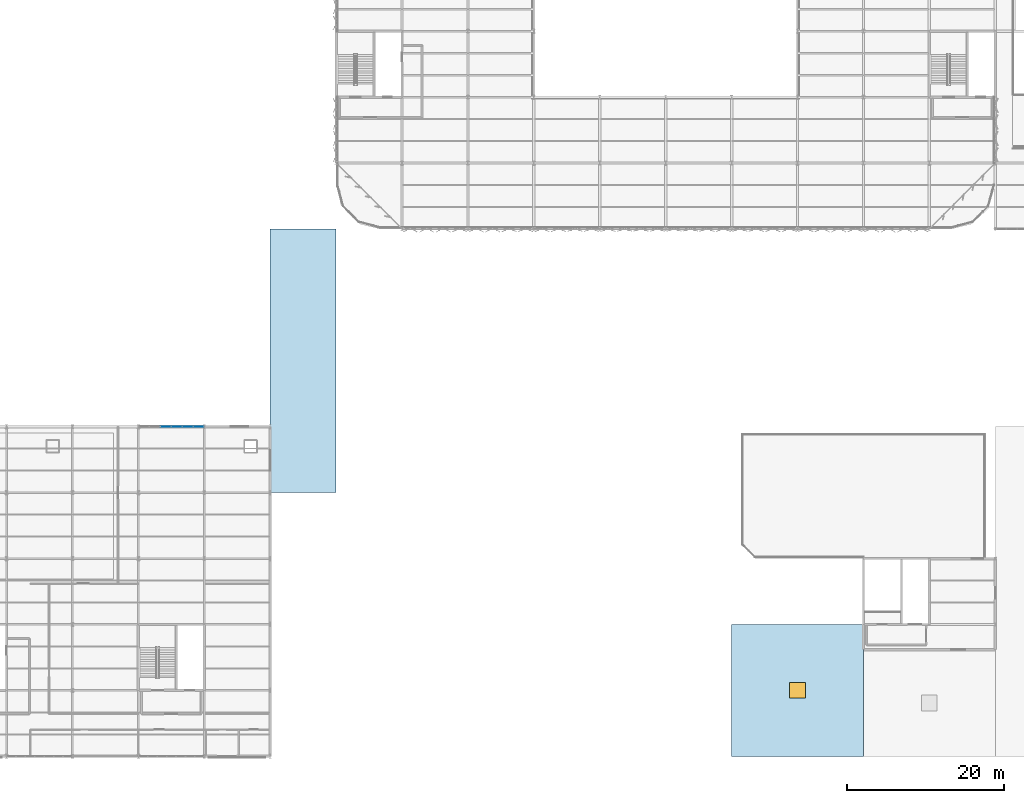
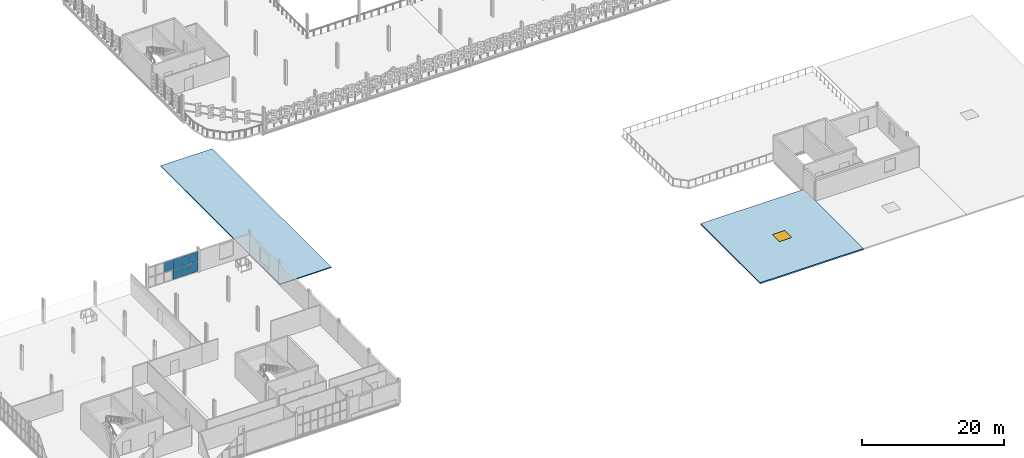
# One storey, part 37 of 69: 7 plates, 2 slabs, 1 window, 1 opening, 1 element without a shape of its own.
"""IFC4 building model written with IfcOpenShell, lengths in metres."""

import ifcopenshell
import ifcopenshell.guid

model = None  # the IFC model being written
_history = None  # IfcOwnerHistory: only IFC2X3 demands one
_inside = {}  # id of a spatial element -> (the spatial element, [elements in it])
_under = {}  # id of a project, library or spatial element -> (it, [spatial elements below it])
_declared = {}  # id of a project -> (the project, [libraries it declares])
_typed = {}  # id of a type object -> (the type object, [elements of that type])
_made_of = {}  # id of a material, layer set ... -> (it, [elements and type objects made of it])


def new_model(schema):
    """Start an empty IFC model of exactly this schema.

    Asked for "IFC4X3", IfcOpenShell would pick the latest addendum, in which some entities
    have other attributes; the version numbers below select the first issue.
    IFC2X3 requires an IfcOwnerHistory on every rooted entity: one is made here for all.
    """
    global model, _history
    if schema == "IFC4X3":
        model = ifcopenshell.file(schema_version=(4, 3, 0, 0))
    else:
        model = ifcopenshell.file(schema=schema)
    _inside.clear()
    _under.clear()
    _declared.clear()
    _typed.clear()
    _made_of.clear()
    _history = None
    if model.schema == "IFC2X3":
        org = make("IfcOrganization", Name="unknown")
        user = make(
            "IfcPersonAndOrganization",
            ThePerson=make("IfcPerson", FamilyName="unknown"),
            TheOrganization=org,
        )
        app = make(
            "IfcApplication",
            ApplicationDeveloper=org,
            Version="unknown",
            ApplicationFullName="unknown",
            ApplicationIdentifier="unknown",
        )
        _history = make(
            "IfcOwnerHistory",
            OwningUser=user,
            OwningApplication=app,
            ChangeAction="ADDED",
            CreationDate=0,
        )
    return model


def make(cls, **values):
    """One entity of the class cls with the attributes given. An attribute that is None is left unset."""
    return model.create_entity(
        cls, **{name: value for name, value in values.items() if value is not None}
    )


def rooted(cls, **values):
    """An entity with a GlobalId (a new one), such as an element, a storey or a relation."""
    return make(cls, GlobalId=ifcopenshell.guid.new(), OwnerHistory=_history, **values)


def si_unit(unit_type, name, prefix=None):
    """IfcSIUnit, for example si_unit("LENGTHUNIT", "METRE", prefix="MILLI")."""
    return make("IfcSIUnit", UnitType=unit_type, Prefix=prefix, Name=name)


def assignment(units):
    """IfcUnitAssignment: the units of a project."""
    return None if units is None else make("IfcUnitAssignment", Units=units)


def point(xyz):
    """IfcCartesianPoint."""
    return None if xyz is None else make("IfcCartesianPoint", Coordinates=xyz)


def direction(xyz):
    """IfcDirection."""
    return None if xyz is None else make("IfcDirection", DirectionRatios=xyz)


def frame(location, z_axis=None, x_axis=None):
    """IfcAxis2Placement3D, a coordinate frame: its origin and axes. An axis left out is left unset."""
    return make(
        "IfcAxis2Placement3D",
        Location=point(location),
        Axis=direction(z_axis),
        RefDirection=direction(x_axis),
    )


def frame_2d(location, x_axis=None):
    """IfcAxis2Placement2D, a coordinate frame in the plane: its origin and x axis."""
    return make(
        "IfcAxis2Placement2D", Location=point(location), RefDirection=direction(x_axis)
    )


def origin():
    """The frame at (0, 0, 0) with its axes left unset."""
    return frame((0.0, 0.0, 0.0))


def origin_2d():
    """The frame at (0, 0) in the plane with its x axis left unset."""
    return frame_2d((0.0, 0.0))


def place(relative_to, where):
    """IfcLocalPlacement: puts the frame where relative to a parent placement (None: the world)."""
    return make(
        "IfcLocalPlacement", PlacementRelTo=relative_to, RelativePlacement=where
    )


def context(
    kind, dimensions, precision=None, world=None, true_north=None, identifier=None
):
    """IfcGeometricRepresentationContext, for example the 3D "Model" context."""
    return make(
        "IfcGeometricRepresentationContext",
        ContextIdentifier=identifier,
        ContextType=kind,
        CoordinateSpaceDimension=dimensions,
        Precision=precision,
        WorldCoordinateSystem=world,
        TrueNorth=true_north,
    )


def subcontext(parent, identifier, kind, view, scale=None):
    """IfcGeometricRepresentationSubContext, for example "Body" below "Model"."""
    return make(
        "IfcGeometricRepresentationSubContext",
        ContextIdentifier=identifier,
        ContextType=kind,
        ParentContext=parent,
        TargetScale=scale,
        TargetView=view,
    )


def project(units=None, contexts=None):
    """IfcProject with its units and contexts."""
    return rooted(
        "IfcProject",
        Name="project",
        RepresentationContexts=contexts,
        UnitsInContext=assignment(units),
    )


def spatial(cls, under=None, at=None, **own):
    """A site, building, storey or space (cls), placed at a placement, below another one or the project."""
    s = rooted(cls, ObjectPlacement=at, **own)
    if under is not None:
        _under.setdefault(under.id(), (under, []))[1].append(s)
    return s


def polyline(points):
    """IfcPolyline through the points."""
    return make("IfcPolyline", Points=[point(p) for p in points])


def profile(cls, at=None, kind="AREA", **sizes):
    """A parametric profile (cls). Its sizes go by their IFC names, for example OverallWidth=200.0."""
    return make(cls, ProfileType=kind, Position=at, **sizes)


def rectangle(**sizes):
    """IfcRectangleProfileDef."""
    return profile("IfcRectangleProfileDef", **sizes)


def outline(outer, holes=None, kind="AREA"):
    """IfcArbitraryClosedProfileDef: a profile drawn as a closed curve; with holes, ...WithVoids."""
    if holes is None:
        return make("IfcArbitraryClosedProfileDef", ProfileType=kind, OuterCurve=outer)
    return make(
        "IfcArbitraryProfileDefWithVoids",
        ProfileType=kind,
        OuterCurve=outer,
        InnerCurves=holes,
    )


def extrude(swept, where, along, depth):
    """IfcExtrudedAreaSolid: the profile swept, set in the frame where, extruded along a direction by depth."""
    return make(
        "IfcExtrudedAreaSolid",
        SweptArea=swept,
        Position=where,
        ExtrudedDirection=direction(along),
        Depth=depth,
    )


def shape(context_of_items, identifier, shape_type, items):
    """IfcShapeRepresentation: the items that make up one representation, for example the "Body"."""
    return make(
        "IfcShapeRepresentation",
        ContextOfItems=context_of_items,
        RepresentationIdentifier=identifier,
        RepresentationType=shape_type,
        Items=items,
    )


def material(Name=None, Category=None):
    """IfcMaterial."""
    return make("IfcMaterial", Name=Name, Category=Category)


def layer(
    of_material, thickness, ventilated=None, Name=None, Category=None, Priority=None
):
    """IfcMaterialLayer: one layer of a wall or slab, of a material (None: an air gap)."""
    return make(
        "IfcMaterialLayer",
        Material=of_material,
        LayerThickness=thickness,
        IsVentilated=ventilated,
        Name=Name,
        Category=Category,
        Priority=Priority,
    )


def layer_set(layers, Name=None):
    """IfcMaterialLayerSet."""
    return make("IfcMaterialLayerSet", MaterialLayers=layers, LayerSetName=Name)


def made_of(thing, what):
    """Note that an element or type object is made of a material, layer set ...; save() writes the relation."""
    if what is not None:
        _made_of.setdefault(what.id(), (what, []))[1].append(thing)
    return thing


def type_object(cls, material=None, **own):
    """A type object (cls), such as IfcWallType, which elements share."""
    return made_of(rooted(cls, **own), material)


def element(
    cls,
    number,
    at=None,
    inside=None,
    cuts=None,
    type_object=None,
    material=None,
    context=None,
    identifier="Body",
    shape_type=None,
    held_by="IfcProductDefinitionShape",
    body=None,
    shapes=None,
    **own,
):
    """One element of the class cls, such as IfcWall. Its Tag is "e" and its number.

    at: its placement. inside: the storey or other place that contains it. cuts: it is an
    opening in that element (IfcRelVoidsElement). A single representation is given by context,
    identifier, shape_type and body (its items); several are given by shapes. held_by: the class
    of the entity that holds the representations. save() writes the other relations.
    """
    e = rooted(cls, Tag="e%d" % number, ObjectPlacement=at, **own)
    if body is not None:
        shapes = [shape(context, identifier, shape_type, body)]
    if shapes is not None:
        e.Representation = make(held_by, Representations=shapes)
    if inside is not None:
        _inside.setdefault(inside.id(), (inside, []))[1].append(e)
    if cuts is not None:
        rooted(
            "IfcRelVoidsElement", RelatingBuildingElement=cuts, RelatedOpeningElement=e
        )
    if type_object is not None:
        _typed.setdefault(type_object.id(), (type_object, []))[1].append(e)
    return made_of(e, material)


def fill(opening, filler):
    """IfcRelFillsElement: the door or window that sits in an opening."""
    return rooted(
        "IfcRelFillsElement",
        RelatingOpeningElement=opening,
        RelatedBuildingElement=filler,
    )


def aggregate(whole, parts):
    """IfcRelAggregates: a whole, such as a stair, and the parts it consists of."""
    return rooted("IfcRelAggregates", RelatingObject=whole, RelatedObjects=parts)


def save(model, path):
    """Write the relations noted so far, then the file.

    IfcRelAggregates (storeys below a building ...), IfcRelContainedInSpatialStructure (elements
    in a storey), IfcRelDefinesByType, IfcRelAssociatesMaterial and IfcRelDeclares: one each for
    every whole, place, type object, material and project.
    """
    for whole, parts in _under.values():
        aggregate(whole, parts)
    for where, things in _inside.values():
        rooted(
            "IfcRelContainedInSpatialStructure",
            RelatedElements=things,
            RelatingStructure=where,
        )
    for kind, things in _typed.values():
        rooted("IfcRelDefinesByType", RelatedObjects=things, RelatingType=kind)
    for what, things in _made_of.values():
        rooted("IfcRelAssociatesMaterial", RelatedObjects=things, RelatingMaterial=what)
    for by, libraries in _declared.values():
        rooted("IfcRelDeclares", RelatingContext=by, RelatedDefinitions=libraries)
    model.write(path)


model = new_model("IFC4")

# Units and contexts
model_context = context("Model", 3, precision=1e-05, world=origin(), true_north=direction((0.0, 1.0)))
body_context = subcontext(model_context, "Body", "Model", "MODEL_VIEW")
ifc_project = project(units=[si_unit("LENGTHUNIT", "METRE"), si_unit("AREAUNIT", "SQUARE_METRE"), si_unit("VOLUMEUNIT", "CUBIC_METRE"), si_unit("PLANEANGLEUNIT", "RADIAN"), si_unit("MASSUNIT", "GRAM", prefix="KILO")], contexts=[model_context])

# Site, building, storey
site_placement = place(None, origin())
site = spatial("IfcSite", under=ifc_project, at=site_placement, CompositionType="ELEMENT")
building_placement = place(site_placement, origin())
building = spatial("IfcBuilding", under=site, at=building_placement, Name="Qalvenar Corner Mobility Hub", CompositionType="ELEMENT")
storey_placement = place(building_placement, frame((0.0, 0.0, 13.199951171875)))
storey = spatial("IfcBuildingStorey", under=building, at=storey_placement, Name="L03", CompositionType="ELEMENT", Elevation=13.199951171875)

# Curtain wall, plates
ifc_material_1 = material(Name="Anodised Aluminium and Low-E Glazing", Category="aluminium")
ifc_layer_1 = layer(ifc_material_1, 0.14990234375)
ifc_layer_set_1 = layer_set([ifc_layer_1], Name="Anodised Aluminium and Low-E Glazing")
curtain_wall_type = type_object("IfcCurtainWallType", Name="CW-CIV-84X40", PredefinedType="NOTDEFINED", material=ifc_layer_set_1)
curtain_wall_placement = place(storey_placement, origin())
curtain_wall = element("IfcCurtainWall", 1, at=curtain_wall_placement, inside=storey, type_object=curtain_wall_type, Name="Glazed Curtain Wall CW-V3-L03-N4", PredefinedType="NOTDEFINED")
ifc_material_2 = material(Name="Solar-Control Low-E Double Glazing", Category="glass")
ifc_layer_2 = layer(ifc_material_2, 0.028076171875)
ifc_layer_set_2 = layer_set([ifc_layer_2], Name="Solar-Control Low-E Double Glazing")
plate_type = type_object("IfcPlateType", Name="PLT-CWP-GLZ1", PredefinedType="CURTAIN_PANEL", material=ifc_layer_set_2)
plate_1_placement = place(storey_placement, frame((41.284912109375, 42.0, 0.05517578125), z_axis=(0.0, 0.0, 1.0), x_axis=(-1.0, 0.0, 0.0)))
plate_1 = element("IfcPlate", 2, at=plate_1_placement, type_object=plate_type, Name="CW-05 panel 1.1", PredefinedType="CURTAIN_PANEL", context=body_context, shape_type="SweptSolid", body=[
    extrude(rectangle(XDim=1.31005859375, YDim=0.028076171875, at=origin_2d()), origin(), (0.0, 0.0, 1.0), 1.702392578125),
])
plate_2_placement = place(storey_placement, frame((41.284912109375, 42.0, 1.8125), z_axis=(0.0, 0.0, 1.0), x_axis=(-1.0, 0.0, 0.0)))
plate_2 = element("IfcPlate", 3, at=plate_2_placement, type_object=plate_type, Name="CW-05 panel 1.2", PredefinedType="CURTAIN_PANEL", context=body_context, shape_type="SweptSolid", body=[
    extrude(rectangle(XDim=1.31005859375, YDim=0.028076171875, at=origin_2d()), origin(), (0.0, 0.0, 1.0), 1.702392578125),
])
plate_3_placement = place(storey_placement, frame((39.89990234375, 42.0, 0.05517578125), z_axis=(0.0, 0.0, 1.0), x_axis=(-1.0, 0.0, 0.0)))
plate_3 = element("IfcPlate", 4, at=plate_3_placement, type_object=plate_type, Name="CW-05 panel 2.1", PredefinedType="CURTAIN_PANEL", context=body_context, shape_type="SweptSolid", body=[
    extrude(rectangle(XDim=1.340087890625, YDim=0.028076171875, at=origin_2d()), origin(), (0.0, 0.0, 1.0), 1.702392578125),
])
plate_4_placement = place(storey_placement, frame((39.89990234375, 42.0, 1.8125), z_axis=(0.0, 0.0, 1.0), x_axis=(-1.0, 0.0, 0.0)))
plate_4 = element("IfcPlate", 5, at=plate_4_placement, type_object=plate_type, Name="CW-05 panel 2.2", PredefinedType="CURTAIN_PANEL", context=body_context, shape_type="SweptSolid", body=[
    extrude(rectangle(XDim=1.340087890625, YDim=0.028076171875, at=origin_2d()), origin(), (0.0, 0.0, 1.0), 1.702392578125),
])
plate_5_placement = place(storey_placement, frame((38.5, 42.0, 0.05517578125), z_axis=(0.0, 0.0, 1.0), x_axis=(-1.0, 0.0, 0.0)))
plate_5 = element("IfcPlate", 6, at=plate_5_placement, type_object=plate_type, Name="CW-05 panel 3.1", PredefinedType="CURTAIN_PANEL", context=body_context, shape_type="SweptSolid", body=[
    extrude(rectangle(XDim=1.340087890625, YDim=0.028076171875, at=origin_2d()), origin(), (0.0, 0.0, 1.0), 1.702392578125),
])
plate_6_placement = place(storey_placement, frame((38.5, 42.0, 1.8125), z_axis=(0.0, 0.0, 1.0), x_axis=(-1.0, 0.0, 0.0)))
plate_6 = element("IfcPlate", 7, at=plate_6_placement, type_object=plate_type, Name="CW-05 panel 3.2", PredefinedType="CURTAIN_PANEL", context=body_context, shape_type="SweptSolid", body=[
    extrude(rectangle(XDim=1.340087890625, YDim=0.028076171875, at=origin_2d()), origin(), (0.0, 0.0, 1.0), 1.702392578125),
])
plate_7_placement = place(storey_placement, frame((37.10009765625, 42.0, 1.8125), z_axis=(0.0, 0.0, 1.0), x_axis=(-1.0, 0.0, 0.0)))
plate_7 = element("IfcPlate", 8, at=plate_7_placement, type_object=plate_type, Name="CW-05 panel 4.2", PredefinedType="CURTAIN_PANEL", context=body_context, shape_type="SweptSolid", body=[
    extrude(rectangle(XDim=1.340087890625, YDim=0.028076171875, at=origin_2d()), origin(), (0.0, 0.0, 1.0), 1.702392578125),
])
aggregate(curtain_wall, [plate_1, plate_2, plate_3, plate_4, plate_5, plate_6, plate_7])

# Slab
ifc_material_3 = material(Name="Concrete C35/45", Category="concrete")
ifc_layer_3 = layer(ifc_material_3, 0.139892578125)
ifc_layer_set_3 = layer_set([ifc_layer_3], Name="Concrete C35/45")
slab_type_1 = type_object("IfcSlabType", Name="SLB-CAN140", PredefinedType="ROOF", material=ifc_layer_set_3)
slab_1_placement = place(storey_placement, frame((0.0, 0.0, -0.169921875)))
element("IfcSlab", 9, at=slab_1_placement, inside=storey, type_object=slab_type_1, Name="Court Link Bridge Shade Canopy Roof", PredefinedType="ROOF", context=body_context, shape_type="SweptSolid", body=[
    extrude(outline(polyline([(50.39990234375, 33.60009765625), (58.800048828125, 33.60009765625), (58.800048828125, 67.199951171875), (50.39990234375, 67.199951171875), (50.39990234375, 33.60009765625)])), origin(), (0.0, 0.0, 1.0), 0.139892578125),
])

# Slab, opening, window
ifc_material_4 = material(Name="Concrete C35/45", Category="concrete")
ifc_layer_4 = layer(ifc_material_4, 0.22998046875)
ifc_layer_set_4 = layer_set([ifc_layer_4], Name="Concrete C35/45")
slab_type_2 = type_object("IfcSlabType", Name="SLB-ROOF190", PredefinedType="ROOF", material=ifc_layer_set_4)
slab_2_placement = place(storey_placement, frame((0.0, 0.0, -0.22998046875)))
slab_2 = element("IfcSlab", 10, at=slab_2_placement, inside=storey, type_object=slab_type_2, Name="Workshop Maintenance Roof V6-S", PredefinedType="ROOF", context=body_context, shape_type="SweptSolid", body=[
    extrude(outline(polyline([(109.199951171875, 0.0), (126.0, 0.0), (126.0, 16.800048828125), (109.199951171875, 16.800048828125), (109.199951171875, 0.0)]), holes=[polyline([(116.60009765625, 7.39990234375), (118.60009765625, 7.39990234375), (118.60009765625, 9.39990234375), (116.60009765625, 9.39990234375), (116.60009765625, 7.39990234375)])]), origin(), (0.0, 0.0, 1.0), 0.22998046875),
])
opening_placement = place(slab_2_placement, frame((117.60009765625, 8.39990234375, 0.0)))
opening = element("IfcOpeningElement", 11, at=opening_placement, cuts=slab_2, Name="Opening SK-03", PredefinedType="OPENING", context=body_context, shape_type="SweptSolid", body=[
    extrude(rectangle(XDim=2.0, YDim=2.0, at=origin_2d()), origin(), (0.0, 0.0, 1.0), 0.22998046875),
])
ifc_material_5 = material(Name="Solar-Control Double-Glazed Bronze Window", Category="glass")
window_type = type_object("IfcWindowType", Name="SKY-CYC-200X200", PartitioningType="SINGLE_PANEL", PredefinedType="SKYLIGHT", material=ifc_material_5)
window_placement = place(opening_placement, frame((0.0, 0.0, 0.179931640625)))
window = element("IfcWindow", 12, at=window_placement, inside=storey, type_object=window_type, Name="Workshop Skylight SK-V6-S", OverallHeight=2.0, OverallWidth=2.0, PartitioningType="SINGLE_PANEL", PredefinedType="SKYLIGHT", context=body_context, shape_type="SweptSolid", body=[
    extrude(rectangle(XDim=2.0, YDim=2.0, at=origin_2d()), origin(), (0.0, 0.0, 1.0), 0.050048828125),
])
fill(opening, window)

save(model, "model.ifc")
